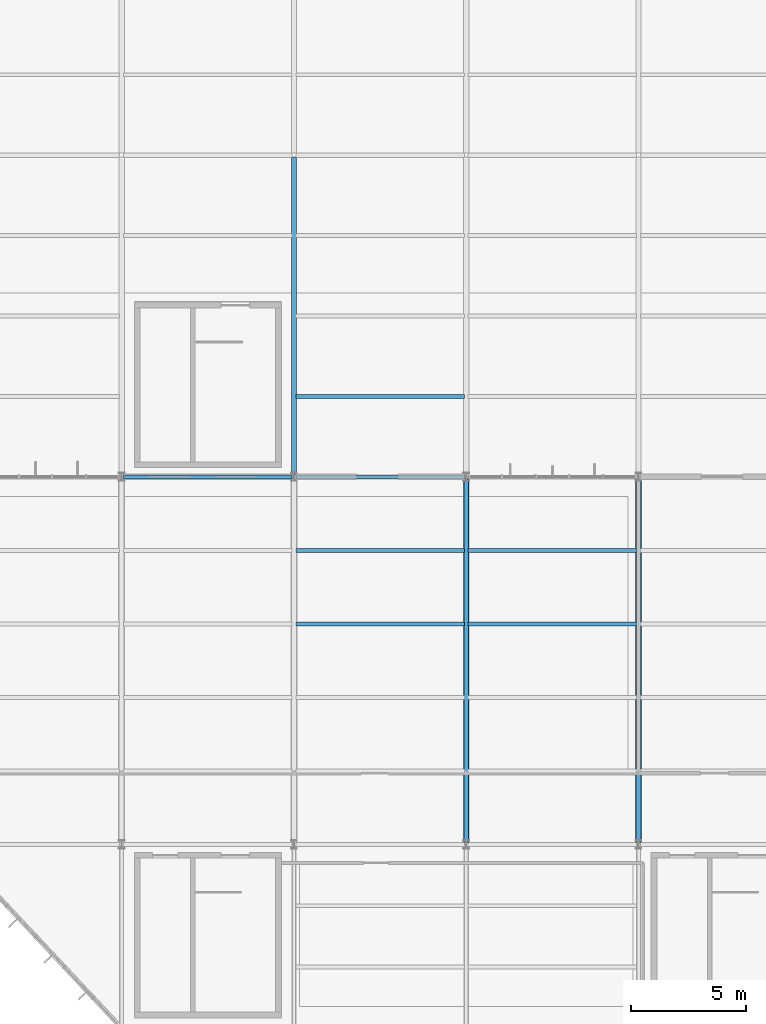
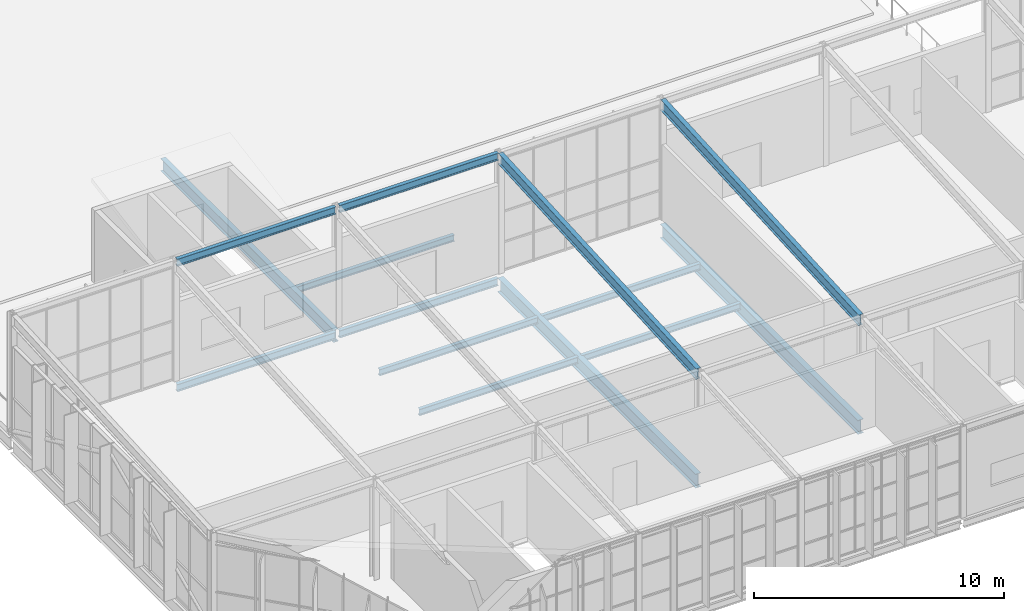
# One storey, part 19 of 104: 14 beams.
"""IFC4 building model written with IfcOpenShell, lengths in metres."""

from ifc_helpers import new_model, si_unit, direction, frame, origin, origin_2d, place, context, subcontext, project, spatial, i_section, extrude, material, material_profile, profile_set, type_object, element, save


model = new_model("IFC4")

# Units and contexts
model_context = context("Model", 3, precision=1e-05, world=origin(), true_north=direction((0.0, 1.0)))
body_context = subcontext(model_context, "Body", "Model", "MODEL_VIEW")
ifc_project = project(units=[si_unit("LENGTHUNIT", "METRE"), si_unit("AREAUNIT", "SQUARE_METRE"), si_unit("VOLUMEUNIT", "CUBIC_METRE"), si_unit("PLANEANGLEUNIT", "RADIAN"), si_unit("MASSUNIT", "GRAM", prefix="KILO")], contexts=[model_context])

# Site, building, storey
site_placement = place(None, origin())
site = spatial("IfcSite", under=ifc_project, at=site_placement, CompositionType="ELEMENT")
building_placement = place(site_placement, origin())
building = spatial("IfcBuilding", under=site, at=building_placement, Name="Solvenia Promenade Tram Depot", CompositionType="ELEMENT")
storey_placement = place(building_placement, frame((0.0, 0.0, 9.0)))
storey = spatial("IfcBuildingStorey", under=building, at=storey_placement, Name="L02", CompositionType="ELEMENT", Elevation=9.0)

# Beams
ifc_material = material(Name="Structural steel ASTM A992 Gr. 50", Category="steel")
ifc_material_profile_1 = material_profile(ifc_material, i_section(OverallWidth=0.2099609375, OverallDepth=0.537109375, WebThickness=0.010986328125, FlangeThickness=0.017333984375, FilletRadius=0.013916015625, at=origin_2d()), Name="W530x101", Category="steel")
ifc_profile_set_1 = profile_set([ifc_material_profile_1], Name="Structural steel ASTM A992 Gr. 50")
beam_type_1 = type_object("IfcBeamType", Name="Gird-W530x101", PredefinedType="BEAM", material=ifc_profile_set_1)
for number, where, z_axis, x_axis, name in (
    (1, (22.5, 8.0849609375, 4.658203125), (0.0, 0.998266347418, 0.058858301144), (-1.0, 0.0, 0.0), "Folded Wing Main Rafter BM-L02-0849"),
    (2, (30.0, 8.0849609375, 4.658203125), (0.0, 0.998266347418, 0.058858301144), (-1.0, 0.0, 0.0), "Folded Wing Main Rafter BM-L02-0851"),
):
    element("IfcBeam", number, at=place(storey_placement, frame(where, z_axis=z_axis, x_axis=x_axis)), inside=storey, type_object=beam_type_1, Name=name, PredefinedType="BEAM", context=body_context, shape_type="SweptSolid", body=[
        extrude(i_section(OverallWidth=0.2099609375, OverallDepth=0.537109375, WebThickness=0.010986328125, FlangeThickness=0.017333984375, FilletRadius=0.013916015625, at=origin_2d()), origin(), (0.0, 0.0, 1.0), 15.857666015625),
    ])
ifc_material_profile_2 = material_profile(ifc_material, i_section(OverallWidth=0.22900390625, OverallDepth=0.612060546875, WebThickness=0.011962890625, FlangeThickness=0.01953125, FilletRadius=0.014892578125, at=origin_2d()), Name="W610x125", Category="steel")
ifc_profile_set_2 = profile_set([ifc_material_profile_2], Name="Structural steel ASTM A992 Gr. 50")
beam_type_2 = type_object("IfcBeamType", Name="Gird-W610x125", PredefinedType="BEAM", material=ifc_profile_set_2)
beam_placement = place(storey_placement, frame((15.0, 24.0849609375, -0.56591796875), z_axis=(0.0, 1.0, 0.0), x_axis=(-1.0, 0.0, 0.0)))
element("IfcBeam", 3, at=beam_placement, inside=storey, type_object=beam_type_2, Name="Transverse Girder BM-L02-0674", PredefinedType="BEAM", context=body_context, shape_type="SweptSolid", body=[
    extrude(i_section(OverallWidth=0.22900390625, OverallDepth=0.612060546875, WebThickness=0.011962890625, FlangeThickness=0.01953125, FilletRadius=0.014892578125, at=origin_2d()), origin(), (0.0, 0.0, 1.0), 13.830078125),
])
ifc_material_profile_3 = material_profile(ifc_material, i_section(OverallWidth=0.25390625, OverallDepth=0.68408203125, WebThickness=0.012451171875, FlangeThickness=0.018798828125, FilletRadius=0.01611328125, at=origin_2d()), Name="W690x140", Category="steel")
ifc_profile_set_3 = profile_set([ifc_material_profile_3], Name="Structural steel ASTM A992 Gr. 50")
beam_type_3 = type_object("IfcBeamType", Name="Gird-W690x140", PredefinedType="BEAM", material=ifc_profile_set_3)
for number, where, z_axis, x_axis, name in (
    (4, (22.5, 8.0849609375, -0.56201171875), (0.0, 1.0, 0.0), (-1.0, 0.0, 0.0), "Transverse Girder BM-L02-0549"),
    (5, (30.0, 8.0849609375, -0.56201171875), (0.0, 1.0, 0.0), (-1.0, 0.0, 0.0), "Transverse Girder BM-L02-0551"),
):
    element("IfcBeam", number, at=place(storey_placement, frame(where, z_axis=z_axis, x_axis=x_axis)), inside=storey, type_object=beam_type_3, Name=name, PredefinedType="BEAM", context=body_context, shape_type="SweptSolid", body=[
        extrude(i_section(OverallWidth=0.25390625, OverallDepth=0.68408203125, WebThickness=0.012451171875, FlangeThickness=0.018798828125, FilletRadius=0.01611328125, at=origin_2d()), origin(), (0.0, 0.0, 1.0), 15.830078125),
    ])
ifc_material_profile_4 = material_profile(ifc_material, i_section(OverallWidth=0.166015625, OverallDepth=0.31298828125, WebThickness=0.006591796875, FlangeThickness=0.01123046875, FilletRadius=0.010009765625, at=origin_2d()), Name="W310x45", Category="steel")
ifc_profile_set_4 = profile_set([ifc_material_profile_4], Name="Structural steel ASTM A992 Gr. 50")
beam_type_4 = type_object("IfcBeamType", Name="Joist-W310x45", PredefinedType="JOIST", material=ifc_profile_set_4)
for number, where, z_axis, x_axis, name in (
    (6, (15.0849609375, 17.60009765625, -0.37646484375), (1.0, 0.0, 0.0), (0.0, 1.0, 0.0), "Secondary Floor Joist BM-L02-0571"),
    (7, (15.0849609375, 20.800048828125, -0.37646484375), (1.0, 0.0, 0.0), (0.0, 1.0, 0.0), "Secondary Floor Joist BM-L02-0572"),
    (8, (22.5849609375, 17.60009765625, -0.37646484375), (1.0, 0.0, 0.0), (0.0, 1.0, 0.0), "Secondary Floor Joist BM-L02-0577"),
    (9, (22.5849609375, 20.800048828125, -0.37646484375), (1.0, 0.0, 0.0), (0.0, 1.0, 0.0), "Secondary Floor Joist BM-L02-0578"),
    (10, (15.0849609375, 27.5, -0.41650390625), (1.0, 0.0, 0.0), (0.0, 1.0, 0.0), "Secondary Floor Joist BM-L02-0705"),
):
    element("IfcBeam", number, at=place(storey_placement, frame(where, z_axis=z_axis, x_axis=x_axis)), inside=storey, type_object=beam_type_4, Name=name, PredefinedType="JOIST", context=body_context, shape_type="SweptSolid", body=[
        extrude(i_section(OverallWidth=0.166015625, OverallDepth=0.31298828125, WebThickness=0.006591796875, FlangeThickness=0.01123046875, FilletRadius=0.010009765625, at=origin_2d()), origin(), (0.0, 0.0, 1.0), 7.330078125),
    ])
ifc_material_profile_5 = material_profile(ifc_material, i_section(OverallWidth=0.172119140625, OverallDepth=0.35791015625, WebThickness=0.0078125, FlangeThickness=0.01318359375, FilletRadius=0.010986328125, at=origin_2d()), Name="W360x57", Category="steel")
ifc_profile_set_5 = profile_set([ifc_material_profile_5], Name="Structural steel ASTM A992 Gr. 50")
beam_type_5 = type_object("IfcBeamType", Name="Spandrel-W360x57", PredefinedType="SPANDREL", material=ifc_profile_set_5)
for number, where, z_axis, x_axis, name in (
    (11, (7.5849609375, 24.0, -0.43896484375), (1.0, 0.0, 0.0), (0.0, 1.0, 0.0), "Perimeter Spandrel BM-L02-0537"),
    (12, (15.0849609375, 24.0, -0.43896484375), (1.0, 0.0, 0.0), (0.0, 1.0, 0.0), "Perimeter Spandrel BM-L02-0538"),
    (13, (7.5849609375, 24.0, 5.680908203125), (1.0, 0.0, 0.0), (0.0, 1.0, 0.0), "Folded Wing Roof Eave Beam BM-L02-0863"),
    (14, (15.0849609375, 24.0, 5.680908203125), (1.0, 0.0, 0.0), (0.0, 1.0, 0.0), "Folded Wing Roof Eave Beam BM-L02-0866"),
):
    element("IfcBeam", number, at=place(storey_placement, frame(where, z_axis=z_axis, x_axis=x_axis)), inside=storey, type_object=beam_type_5, Name=name, PredefinedType="SPANDREL", context=body_context, shape_type="SweptSolid", body=[
        extrude(i_section(OverallWidth=0.172119140625, OverallDepth=0.35791015625, WebThickness=0.0078125, FlangeThickness=0.01318359375, FilletRadius=0.010986328125, at=origin_2d()), origin(), (0.0, 0.0, 1.0), 7.330078125),
    ])

save(model, "model.ifc")
